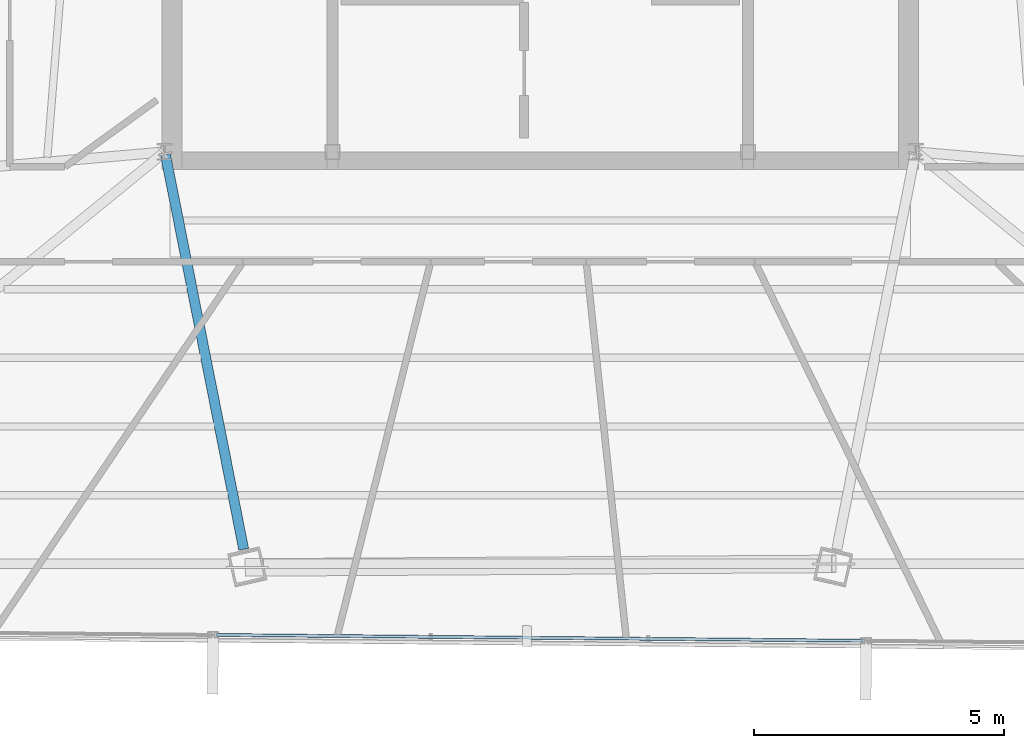
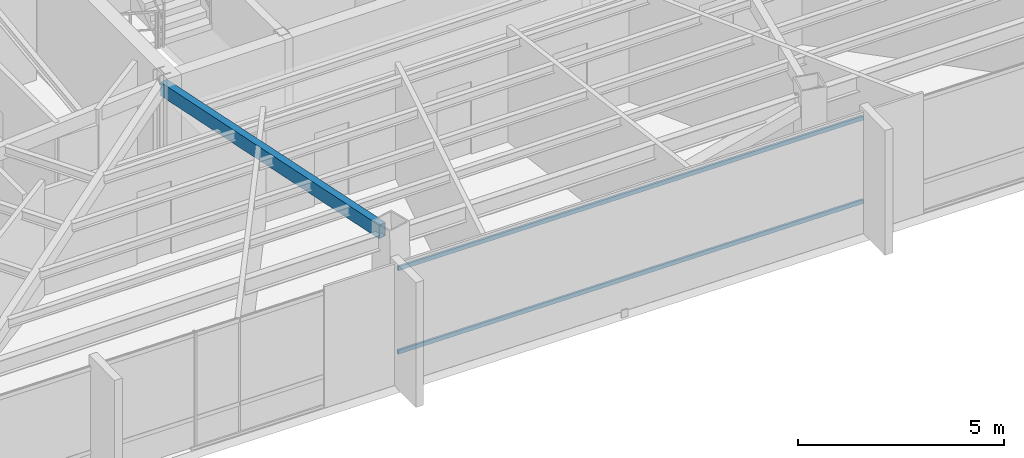
# One storey, part 12 of 42: 2 members, 1 beam, 1 element without a shape of its own.
"""IFC4 building model written with IfcOpenShell, lengths in metres."""

from ifc_helpers import new_model, si_unit, direction, frame, origin, origin_2d, place, context, subcontext, project, spatial, hollow_rectangle, extrude, source, transform, mapped, material, material_profile, profile_set, type_object, type_shapes, element, aggregate, save


model = new_model("IFC4")

# Units and contexts
model_context = context("Model", 3, precision=1e-05, world=origin(), true_north=direction((0.0, 1.0)))
body_context = subcontext(model_context, "Body", "Model", "MODEL_VIEW")
ifc_project = project(units=[si_unit("LENGTHUNIT", "METRE"), si_unit("AREAUNIT", "SQUARE_METRE"), si_unit("VOLUMEUNIT", "CUBIC_METRE"), si_unit("PLANEANGLEUNIT", "RADIAN"), si_unit("MASSUNIT", "GRAM", prefix="KILO")], contexts=[model_context])

# Site, building, storey
site_placement = place(None, origin())
site = spatial("IfcSite", under=ifc_project, at=site_placement, CompositionType="ELEMENT")
building_placement = place(site_placement, origin())
building = spatial("IfcBuilding", under=site, at=building_placement, Name="Caelisora Broadcast Tower", CompositionType="ELEMENT")
storey_placement = place(building_placement, frame((0.0, 0.0, 244.449951171875)))
storey = spatial("IfcBuildingStorey", under=building, at=storey_placement, Name="L64", CompositionType="ELEMENT", Elevation=244.449951171875)

# Beam
ifc_material_1 = material(Name="Steel Grade 350 (AS/NZS 1163 C350L0)", Category="steel")
ifc_material_profile_1 = material_profile(ifc_material_1, hollow_rectangle(XDim=0.199951171875, YDim=0.39990234375, WallThickness=0.012451171875, at=origin_2d()), Name="Steel Grade 350 (AS/NZS 1163 C350L0)")
ifc_profile_set_1 = profile_set([ifc_material_profile_1], Name="Steel Grade 350 (AS/NZS 1163 C350L0)")
beam_type = type_object("IfcBeamType", Name="PG07", PredefinedType="BEAM", material=ifc_profile_set_1)
shared_shape_1 = source(origin(), body_context, "Body", "SweptSolid", [
    extrude(hollow_rectangle(XDim=0.199951171875, YDim=0.39990234375, WallThickness=0.012451171875, at=origin_2d()), origin(), (0.0, 0.0, 1.0), 8.034912109375),
])
type_shapes(beam_type, [shared_shape_1])
beam_placement = place(storey_placement, frame((30.51171875, 17.341064453125, 3.199951171875), z_axis=(0.194526494203, -0.98089726427, 0.0), x_axis=(0.98089726427, 0.194526494203, 0.0)))
element("IfcBeam", 1, at=beam_placement, inside=storey, type_object=beam_type, Name="L64 beam PG07", PredefinedType="BEAM", context=body_context, shape_type="MappedRepresentation", body=[
    mapped(shared_shape_1, transform((0.0, 0.0, 0.0), scale=1.0)),
])

# Curtain wall, members
ifc_material_2 = material(Name="Unitised Aluminium Insulated Shadow-Box Spandrel Curtain Wall", Category="aluminium")
curtain_wall_type = type_object("IfcCurtainWallType", Name="CW-SP3", PredefinedType="NOTDEFINED", material=ifc_material_2)
curtain_wall_placement = place(storey_placement, origin())
curtain_wall = element("IfcCurtainWall", 2, at=curtain_wall_placement, inside=storey, type_object=curtain_wall_type, Name="L64 curtain wall CW-SP3", PredefinedType="NOTDEFINED")
ifc_material_3 = material(Name="Aluminium 6063-T6 Anodised Terracotta Bronze", Category="aluminium")
ifc_material_profile_2 = material_profile(ifc_material_3, hollow_rectangle(XDim=0.06005859375, YDim=0.1201171875, WallThickness=0.0029296875, at=origin_2d()), Name="Aluminium 6063-T6 Anodised Terracotta Bronze")
ifc_profile_set_2 = profile_set([ifc_material_profile_2], Name="Aluminium 6063-T6 Anodised Terracotta Bronze")
member_type = type_object("IfcMemberType", Name="CWT-03", PredefinedType="USERDEFINED", material=ifc_profile_set_2)
shared_shape_2 = source(origin(), body_context, "Body", "SweptSolid", [
    extrude(hollow_rectangle(XDim=0.06005859375, YDim=0.1201171875, WallThickness=0.0029296875, at=origin_2d()), origin(), (0.0, 0.0, 1.0), 12.94140625),
])
type_shapes(member_type, [shared_shape_2])
member_1_placement = place(storey_placement, frame((44.457763671875, 7.630859375, 0.85009765625), z_axis=(-0.999959341697, 0.009017480386, 0.0), x_axis=(-0.009017480386, -0.999959341697, 0.0)))
member_1 = element("IfcMember", 3, at=member_1_placement, type_object=member_type, Name="L64-CW-B06 transom #1", ObjectType="TRANSOM", PredefinedType="USERDEFINED", context=body_context, shape_type="MappedRepresentation", body=[
    mapped(shared_shape_2, transform((0.0, 0.0, 0.0), scale=1.0)),
])
member_2_placement = place(storey_placement, frame((44.457763671875, 7.630859375, 3.320068359375), z_axis=(-0.999959341697, 0.009017480386, 0.0), x_axis=(-0.009017480386, -0.999959341697, 0.0)))
member_2 = element("IfcMember", 4, at=member_2_placement, type_object=member_type, Name="L64-CW-B06 transom #2", ObjectType="TRANSOM", PredefinedType="USERDEFINED", context=body_context, shape_type="MappedRepresentation", body=[
    mapped(shared_shape_2, transform((0.0, 0.0, 0.0), scale=1.0)),
])
aggregate(curtain_wall, [member_1, member_2])

save(model, "model.ifc")
